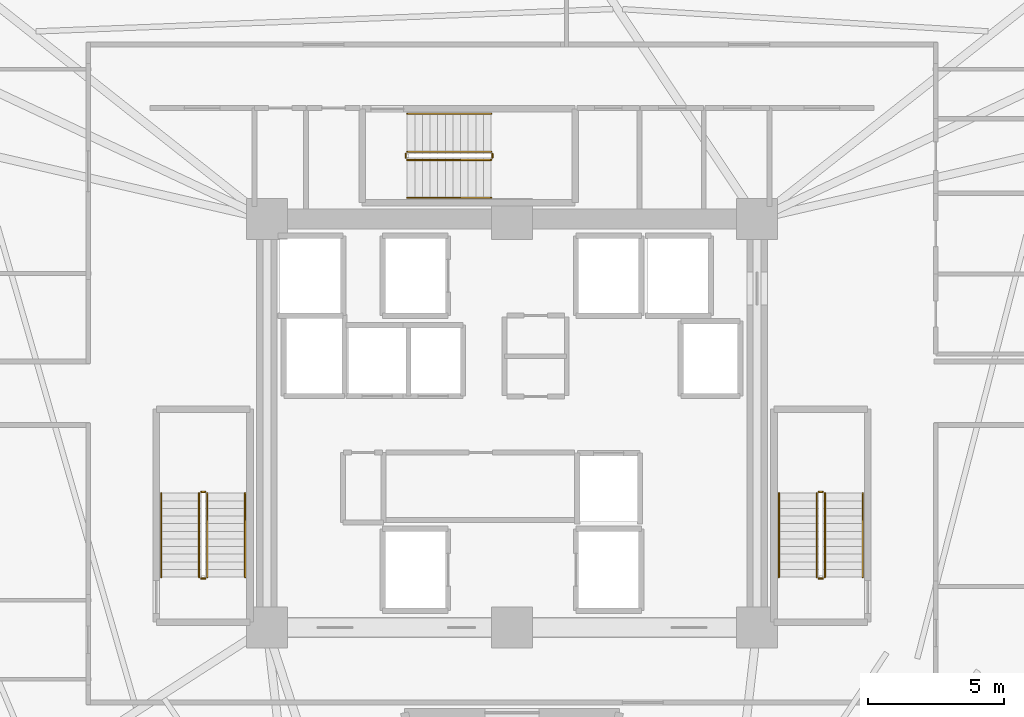
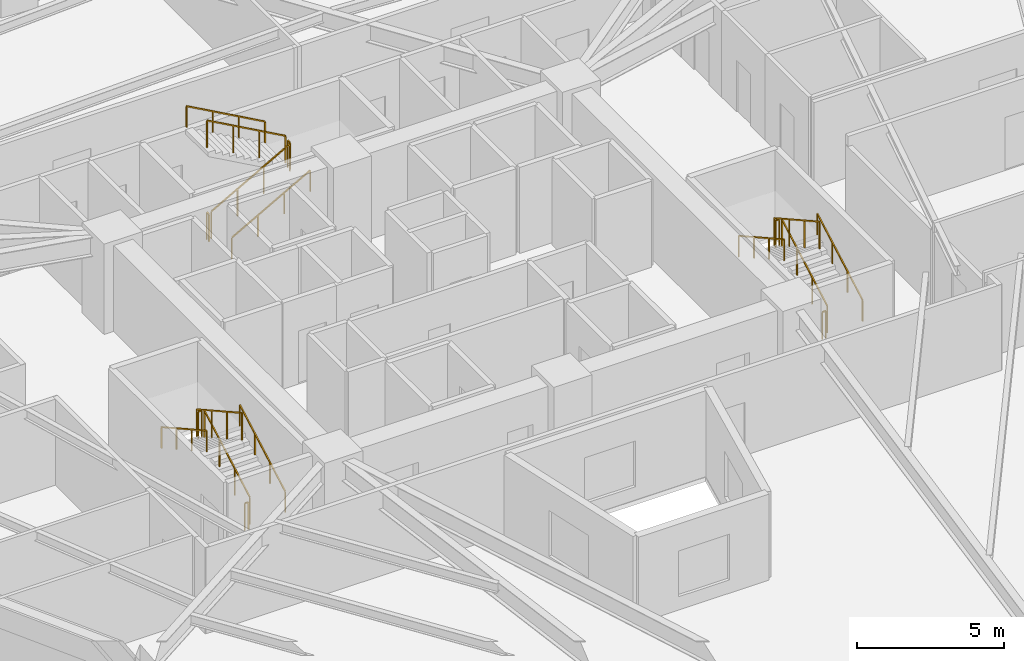
# One storey, part 8 of 8: 18 railings.
"""IFC4 building model written with IfcOpenShell, lengths in metres."""

from ifc_helpers import new_model, si_unit, direction, frame, origin, origin_2d, place, context, subcontext, project, spatial, rectangle, extrude, material, type_object, element, save


model = new_model("IFC4")

# Units and contexts
model_context = context("Model", 3, precision=1e-05, world=origin(), true_north=direction((0.0, 1.0)))
body_context = subcontext(model_context, "Body", "Model", "MODEL_VIEW")
ifc_project = project(units=[si_unit("LENGTHUNIT", "METRE"), si_unit("AREAUNIT", "SQUARE_METRE"), si_unit("VOLUMEUNIT", "CUBIC_METRE"), si_unit("PLANEANGLEUNIT", "RADIAN"), si_unit("MASSUNIT", "GRAM", prefix="KILO")], contexts=[model_context])

# Site, building, storey
site_placement = place(None, origin())
site = spatial("IfcSite", under=ifc_project, at=site_placement, CompositionType="ELEMENT")
building_placement = place(site_placement, origin())
building = spatial("IfcBuilding", under=site, at=building_placement, Name="Liaohun Quay Tower", CompositionType="ELEMENT")
storey_placement = place(building_placement, frame((0.0, 0.0, 174.0)))
storey = spatial("IfcBuildingStorey", under=building, at=storey_placement, Name="L45", CompositionType="ELEMENT", Elevation=174.0)

# Railings
ifc_material_1 = material(Name="Painted tubular steel", Category="steel")
railing_type_1 = type_object("IfcRailingType", Name="RLG-GUARD-STR", PredefinedType="GUARDRAIL", material=ifc_material_1)
railing_1_placement = place(storey_placement, frame((48.81005859375, 48.35009765625, 0.15625)))
element("IfcRailing", 1, at=railing_1_placement, inside=storey, type_object=railing_type_1, Name="L45 ST-1 stair guard 1", PredefinedType="GUARDRAIL", context=body_context, shape_type="SweptSolid", body=[
    extrude(rectangle(XDim=0.048095703125, YDim=0.048095703125, at=origin_2d()), frame((0.0, 0.0, 1.1259765625), z_axis=(0.0, 0.873225103656, 0.487317061414), x_axis=(-1.0, 0.0, 0.0)), (0.0, 0.0, 1.0), 3.52685546875),
    extrude(rectangle(XDim=0.0419921875, YDim=0.0419921875, at=origin_2d()), origin(), (0.0, 0.0, 1.0), 1.101806640625),
    extrude(rectangle(XDim=0.0419921875, YDim=0.0419921875, at=origin_2d()), frame((0.0, 1.026611328125, 0.572998046875)), (0.0, 0.0, 1.0), 1.101806640625),
    extrude(rectangle(XDim=0.0419921875, YDim=0.0419921875, at=origin_2d()), frame((0.0, 2.05322265625, 1.145751953125)), (0.0, 0.0, 1.0), 1.101806640625),
    extrude(rectangle(XDim=0.0419921875, YDim=0.0419921875, at=origin_2d()), frame((0.0, 3.079833984375, 1.71875)), (0.0, 0.0, 1.0), 1.101806640625),
])
railing_2_placement = place(storey_placement, frame((48.72998046875, 51.47998046875, 1.875)))
element("IfcRailing", 2, at=railing_2_placement, inside=storey, type_object=railing_type_1, Name="L45 ST-1 stair guard 2", PredefinedType="GUARDRAIL", context=body_context, shape_type="SweptSolid", body=[
    extrude(rectangle(XDim=0.048095703125, YDim=0.048095703125, at=origin_2d()), frame((0.0, 0.0, 1.1259765625), z_axis=(-1.0, 0.0, 0.0), x_axis=(0.0, -1.0, 0.0)), (0.0, 0.0, 1.0), 0.139892578125),
    extrude(rectangle(XDim=0.0419921875, YDim=0.0419921875, at=origin_2d()), origin(), (0.0, 0.0, 1.0), 1.101806640625),
    extrude(rectangle(XDim=0.0419921875, YDim=0.0419921875, at=origin_2d()), frame((-0.139892578125, 0.0, 0.0)), (0.0, 0.0, 1.0), 1.101806640625),
])
railing_3_placement = place(storey_placement, frame((48.510009765625, 51.429931640625, 2.03125)))
element("IfcRailing", 3, at=railing_3_placement, inside=storey, type_object=railing_type_1, Name="L45 ST-1 stair guard 3", PredefinedType="GUARDRAIL", context=body_context, shape_type="SweptSolid", body=[
    extrude(rectangle(XDim=0.048095703125, YDim=0.048095703125, at=origin_2d()), frame((0.0, 0.0, 1.1259765625), z_axis=(0.0, -0.873225103656, 0.487317061414), x_axis=(1.0, 0.0, 0.0)), (0.0, 0.0, 1.0), 3.52685546875),
    extrude(rectangle(XDim=0.0419921875, YDim=0.0419921875, at=origin_2d()), origin(), (0.0, 0.0, 1.0), 1.101806640625),
    extrude(rectangle(XDim=0.0419921875, YDim=0.0419921875, at=origin_2d()), frame((0.0, -1.026611328125, 0.572998046875)), (0.0, 0.0, 1.0), 1.101806640625),
    extrude(rectangle(XDim=0.0419921875, YDim=0.0419921875, at=origin_2d()), frame((0.0, -2.05322265625, 1.145751953125)), (0.0, 0.0, 1.0), 1.101806640625),
    extrude(rectangle(XDim=0.0419921875, YDim=0.0419921875, at=origin_2d()), frame((0.0, -3.079833984375, 1.71875)), (0.0, 0.0, 1.0), 1.101806640625),
])
railing_4_placement = place(storey_placement, frame((48.72998046875, 48.300048828125, 0.0)))
element("IfcRailing", 4, at=railing_4_placement, inside=storey, type_object=railing_type_1, Name="L45 ST-1 stair guard 4", PredefinedType="GUARDRAIL", context=body_context, shape_type="SweptSolid", body=[
    extrude(rectangle(XDim=0.048095703125, YDim=0.048095703125, at=origin_2d()), frame((0.0, 0.0, 1.1259765625), z_axis=(-1.0, 0.0, 0.0), x_axis=(0.0, -1.0, 0.0)), (0.0, 0.0, 1.0), 0.139892578125),
    extrude(rectangle(XDim=0.0419921875, YDim=0.0419921875, at=origin_2d()), origin(), (0.0, 0.0, 1.0), 1.101806640625),
    extrude(rectangle(XDim=0.0419921875, YDim=0.0419921875, at=origin_2d()), frame((-0.139892578125, 0.0, 0.0)), (0.0, 0.0, 1.0), 1.101806640625),
])
railing_5_placement = place(storey_placement, frame((71.489990234375, 48.35009765625, 0.15625)))
element("IfcRailing", 5, at=railing_5_placement, inside=storey, type_object=railing_type_1, Name="L45 ST-2 stair guard 1", PredefinedType="GUARDRAIL", context=body_context, shape_type="SweptSolid", body=[
    extrude(rectangle(XDim=0.048095703125, YDim=0.048095703125, at=origin_2d()), frame((0.0, 0.0, 1.1259765625), z_axis=(0.0, 0.873225103656, 0.487317061414), x_axis=(-1.0, 0.0, 0.0)), (0.0, 0.0, 1.0), 3.52685546875),
    extrude(rectangle(XDim=0.0419921875, YDim=0.0419921875, at=origin_2d()), origin(), (0.0, 0.0, 1.0), 1.101806640625),
    extrude(rectangle(XDim=0.0419921875, YDim=0.0419921875, at=origin_2d()), frame((0.0, 1.026611328125, 0.572998046875)), (0.0, 0.0, 1.0), 1.101806640625),
    extrude(rectangle(XDim=0.0419921875, YDim=0.0419921875, at=origin_2d()), frame((0.0, 2.05322265625, 1.145751953125)), (0.0, 0.0, 1.0), 1.101806640625),
    extrude(rectangle(XDim=0.0419921875, YDim=0.0419921875, at=origin_2d()), frame((0.0, 3.079833984375, 1.71875)), (0.0, 0.0, 1.0), 1.101806640625),
])
railing_6_placement = place(storey_placement, frame((71.409912109375, 51.47998046875, 1.875)))
element("IfcRailing", 6, at=railing_6_placement, inside=storey, type_object=railing_type_1, Name="L45 ST-2 stair guard 2", PredefinedType="GUARDRAIL", context=body_context, shape_type="SweptSolid", body=[
    extrude(rectangle(XDim=0.048095703125, YDim=0.048095703125, at=origin_2d()), frame((0.0, 0.0, 1.1259765625), z_axis=(-1.0, 0.0, 0.0), x_axis=(0.0, -1.0, 0.0)), (0.0, 0.0, 1.0), 0.139892578125),
    extrude(rectangle(XDim=0.0419921875, YDim=0.0419921875, at=origin_2d()), origin(), (0.0, 0.0, 1.0), 1.101806640625),
    extrude(rectangle(XDim=0.0419921875, YDim=0.0419921875, at=origin_2d()), frame((-0.139892578125, 0.0, 0.0)), (0.0, 0.0, 1.0), 1.101806640625),
])
railing_7_placement = place(storey_placement, frame((71.18994140625, 51.429931640625, 2.03125)))
element("IfcRailing", 7, at=railing_7_placement, inside=storey, type_object=railing_type_1, Name="L45 ST-2 stair guard 3", PredefinedType="GUARDRAIL", context=body_context, shape_type="SweptSolid", body=[
    extrude(rectangle(XDim=0.048095703125, YDim=0.048095703125, at=origin_2d()), frame((0.0, 0.0, 1.1259765625), z_axis=(0.0, -0.873225103656, 0.487317061414), x_axis=(1.0, 0.0, 0.0)), (0.0, 0.0, 1.0), 3.52685546875),
    extrude(rectangle(XDim=0.0419921875, YDim=0.0419921875, at=origin_2d()), origin(), (0.0, 0.0, 1.0), 1.101806640625),
    extrude(rectangle(XDim=0.0419921875, YDim=0.0419921875, at=origin_2d()), frame((0.0, -1.026611328125, 0.572998046875)), (0.0, 0.0, 1.0), 1.101806640625),
    extrude(rectangle(XDim=0.0419921875, YDim=0.0419921875, at=origin_2d()), frame((0.0, -2.05322265625, 1.145751953125)), (0.0, 0.0, 1.0), 1.101806640625),
    extrude(rectangle(XDim=0.0419921875, YDim=0.0419921875, at=origin_2d()), frame((0.0, -3.079833984375, 1.71875)), (0.0, 0.0, 1.0), 1.101806640625),
])
railing_8_placement = place(storey_placement, frame((71.409912109375, 48.300048828125, 0.0)))
element("IfcRailing", 8, at=railing_8_placement, inside=storey, type_object=railing_type_1, Name="L45 ST-2 stair guard 4", PredefinedType="GUARDRAIL", context=body_context, shape_type="SweptSolid", body=[
    extrude(rectangle(XDim=0.048095703125, YDim=0.048095703125, at=origin_2d()), frame((0.0, 0.0, 1.1259765625), z_axis=(-1.0, 0.0, 0.0), x_axis=(0.0, -1.0, 0.0)), (0.0, 0.0, 1.0), 0.139892578125),
    extrude(rectangle(XDim=0.0419921875, YDim=0.0419921875, at=origin_2d()), origin(), (0.0, 0.0, 1.0), 1.101806640625),
    extrude(rectangle(XDim=0.0419921875, YDim=0.0419921875, at=origin_2d()), frame((-0.139892578125, 0.0, 0.0)), (0.0, 0.0, 1.0), 1.101806640625),
])
railing_9_placement = place(storey_placement, frame((56.14990234375, 63.669921875, 0.15625)))
element("IfcRailing", 9, at=railing_9_placement, inside=storey, type_object=railing_type_1, Name="L45 ST-3 stair guard 1", PredefinedType="GUARDRAIL", context=body_context, shape_type="SweptSolid", body=[
    extrude(rectangle(XDim=0.048095703125, YDim=0.048095703125, at=origin_2d()), frame((0.0, 0.0, 1.1259765625), z_axis=(0.873241540666, 0.0, 0.487287606713), x_axis=(0.0, 1.0, 0.0)), (0.0, 0.0, 1.0), 3.527099609375),
    extrude(rectangle(XDim=0.0419921875, YDim=0.0419921875, at=origin_2d()), origin(), (0.0, 0.0, 1.0), 1.101806640625),
    extrude(rectangle(XDim=0.0419921875, YDim=0.0419921875, at=origin_2d()), frame((1.026611328125, 0.0, 0.572998046875)), (0.0, 0.0, 1.0), 1.101806640625),
    extrude(rectangle(XDim=0.0419921875, YDim=0.0419921875, at=origin_2d()), frame((2.053466796875, 0.0, 1.145751953125)), (0.0, 0.0, 1.0), 1.101806640625),
    extrude(rectangle(XDim=0.0419921875, YDim=0.0419921875, at=origin_2d()), frame((3.080078125, 0.0, 1.71875)), (0.0, 0.0, 1.0), 1.101806640625),
])
railing_10_placement = place(storey_placement, frame((59.280029296875, 63.75, 1.875)))
element("IfcRailing", 10, at=railing_10_placement, inside=storey, type_object=railing_type_1, Name="L45 ST-3 stair guard 2", PredefinedType="GUARDRAIL", context=body_context, shape_type="SweptSolid", body=[
    extrude(rectangle(XDim=0.048095703125, YDim=0.048095703125, at=origin_2d()), frame((0.0, 0.0, 1.1259765625), z_axis=(0.0, 1.0, 0.0), x_axis=(-1.0, 0.0, 0.0)), (0.0, 0.0, 1.0), 0.139892578125),
    extrude(rectangle(XDim=0.0419921875, YDim=0.0419921875, at=origin_2d()), origin(), (0.0, 0.0, 1.0), 1.101806640625),
    extrude(rectangle(XDim=0.0419921875, YDim=0.0419921875, at=origin_2d()), frame((0.0, 0.139892578125, 0.0)), (0.0, 0.0, 1.0), 1.101806640625),
])
railing_11_placement = place(storey_placement, frame((59.22998046875, 63.969970703125, 2.03125)))
element("IfcRailing", 11, at=railing_11_placement, inside=storey, type_object=railing_type_1, Name="L45 ST-3 stair guard 3", PredefinedType="GUARDRAIL", context=body_context, shape_type="SweptSolid", body=[
    extrude(rectangle(XDim=0.048095703125, YDim=0.048095703125, at=origin_2d()), frame((0.0, 0.0, 1.1259765625), z_axis=(-0.873241540666, 0.0, 0.487287606713), x_axis=(0.0, -1.0, 0.0)), (0.0, 0.0, 1.0), 3.527099609375),
    extrude(rectangle(XDim=0.0419921875, YDim=0.0419921875, at=origin_2d()), origin(), (0.0, 0.0, 1.0), 1.101806640625),
    extrude(rectangle(XDim=0.0419921875, YDim=0.0419921875, at=origin_2d()), frame((-1.026611328125, 0.0, 0.572998046875)), (0.0, 0.0, 1.0), 1.101806640625),
    extrude(rectangle(XDim=0.0419921875, YDim=0.0419921875, at=origin_2d()), frame((-2.053466796875, 0.0, 1.145751953125)), (0.0, 0.0, 1.0), 1.101806640625),
    extrude(rectangle(XDim=0.0419921875, YDim=0.0419921875, at=origin_2d()), frame((-3.080078125, 0.0, 1.71875)), (0.0, 0.0, 1.0), 1.101806640625),
])
railing_12_placement = place(storey_placement, frame((56.10009765625, 63.75, 0.0)))
element("IfcRailing", 12, at=railing_12_placement, inside=storey, type_object=railing_type_1, Name="L45 ST-3 stair guard 4", PredefinedType="GUARDRAIL", context=body_context, shape_type="SweptSolid", body=[
    extrude(rectangle(XDim=0.048095703125, YDim=0.048095703125, at=origin_2d()), frame((0.0, 0.0, 1.1259765625), z_axis=(0.0, 1.0, 0.0), x_axis=(-1.0, 0.0, 0.0)), (0.0, 0.0, 1.0), 0.139892578125),
    extrude(rectangle(XDim=0.0419921875, YDim=0.0419921875, at=origin_2d()), origin(), (0.0, 0.0, 1.0), 1.101806640625),
    extrude(rectangle(XDim=0.0419921875, YDim=0.0419921875, at=origin_2d()), frame((0.0, 0.139892578125, 0.0)), (0.0, 0.0, 1.0), 1.101806640625),
])
ifc_material_2 = material(Name="Brushed stainless steel", Category="steel")
railing_type_2 = type_object("IfcRailingType", Name="RLG-HND-STR", PredefinedType="HANDRAIL", material=ifc_material_2)
railing_13_placement = place(storey_placement, frame((50.199951171875, 48.35009765625, 0.15625)))
element("IfcRailing", 13, at=railing_13_placement, inside=storey, type_object=railing_type_2, Name="L45 ST-1 stair handrail 1", PredefinedType="HANDRAIL", context=body_context, shape_type="SweptSolid", body=[
    extrude(rectangle(XDim=0.048095703125, YDim=0.048095703125, at=origin_2d()), frame((0.0, 0.0, 0.8759765625), z_axis=(0.0, 0.873225103656, 0.487317061414), x_axis=(-1.0, 0.0, 0.0)), (0.0, 0.0, 1.0), 3.52685546875),
    extrude(rectangle(XDim=0.0419921875, YDim=0.0419921875, at=origin_2d()), origin(), (0.0, 0.0, 1.0), 0.851806640625),
    extrude(rectangle(XDim=0.0419921875, YDim=0.0419921875, at=origin_2d()), frame((0.0, 1.026611328125, 0.572998046875)), (0.0, 0.0, 1.0), 0.851806640625),
    extrude(rectangle(XDim=0.0419921875, YDim=0.0419921875, at=origin_2d()), frame((0.0, 2.05322265625, 1.145751953125)), (0.0, 0.0, 1.0), 0.851806640625),
    extrude(rectangle(XDim=0.0419921875, YDim=0.0419921875, at=origin_2d()), frame((0.0, 3.079833984375, 1.71875)), (0.0, 0.0, 1.0), 0.851806640625),
])
railing_14_placement = place(storey_placement, frame((47.1201171875, 51.429931640625, 2.03125)))
element("IfcRailing", 14, at=railing_14_placement, inside=storey, type_object=railing_type_2, Name="L45 ST-1 stair handrail 2", PredefinedType="HANDRAIL", context=body_context, shape_type="SweptSolid", body=[
    extrude(rectangle(XDim=0.048095703125, YDim=0.048095703125, at=origin_2d()), frame((0.0, 0.0, 0.8759765625), z_axis=(0.0, -0.873225103656, 0.487317061414), x_axis=(1.0, 0.0, 0.0)), (0.0, 0.0, 1.0), 3.52685546875),
    extrude(rectangle(XDim=0.0419921875, YDim=0.0419921875, at=origin_2d()), origin(), (0.0, 0.0, 1.0), 0.851806640625),
    extrude(rectangle(XDim=0.0419921875, YDim=0.0419921875, at=origin_2d()), frame((0.0, -1.026611328125, 0.572998046875)), (0.0, 0.0, 1.0), 0.851806640625),
    extrude(rectangle(XDim=0.0419921875, YDim=0.0419921875, at=origin_2d()), frame((0.0, -2.05322265625, 1.145751953125)), (0.0, 0.0, 1.0), 0.851806640625),
    extrude(rectangle(XDim=0.0419921875, YDim=0.0419921875, at=origin_2d()), frame((0.0, -3.079833984375, 1.71875)), (0.0, 0.0, 1.0), 0.851806640625),
])
railing_15_placement = place(storey_placement, frame((72.8798828125, 48.35009765625, 0.15625)))
element("IfcRailing", 15, at=railing_15_placement, inside=storey, type_object=railing_type_2, Name="L45 ST-2 stair handrail 1", PredefinedType="HANDRAIL", context=body_context, shape_type="SweptSolid", body=[
    extrude(rectangle(XDim=0.048095703125, YDim=0.048095703125, at=origin_2d()), frame((0.0, 0.0, 0.8759765625), z_axis=(0.0, 0.873225103656, 0.487317061414), x_axis=(-1.0, 0.0, 0.0)), (0.0, 0.0, 1.0), 3.52685546875),
    extrude(rectangle(XDim=0.0419921875, YDim=0.0419921875, at=origin_2d()), origin(), (0.0, 0.0, 1.0), 0.851806640625),
    extrude(rectangle(XDim=0.0419921875, YDim=0.0419921875, at=origin_2d()), frame((0.0, 1.026611328125, 0.572998046875)), (0.0, 0.0, 1.0), 0.851806640625),
    extrude(rectangle(XDim=0.0419921875, YDim=0.0419921875, at=origin_2d()), frame((0.0, 2.05322265625, 1.145751953125)), (0.0, 0.0, 1.0), 0.851806640625),
    extrude(rectangle(XDim=0.0419921875, YDim=0.0419921875, at=origin_2d()), frame((0.0, 3.079833984375, 1.71875)), (0.0, 0.0, 1.0), 0.851806640625),
])
railing_16_placement = place(storey_placement, frame((69.800048828125, 51.429931640625, 2.03125)))
element("IfcRailing", 16, at=railing_16_placement, inside=storey, type_object=railing_type_2, Name="L45 ST-2 stair handrail 2", PredefinedType="HANDRAIL", context=body_context, shape_type="SweptSolid", body=[
    extrude(rectangle(XDim=0.048095703125, YDim=0.048095703125, at=origin_2d()), frame((0.0, 0.0, 0.8759765625), z_axis=(0.0, -0.873225103656, 0.487317061414), x_axis=(1.0, 0.0, 0.0)), (0.0, 0.0, 1.0), 3.52685546875),
    extrude(rectangle(XDim=0.0419921875, YDim=0.0419921875, at=origin_2d()), origin(), (0.0, 0.0, 1.0), 0.851806640625),
    extrude(rectangle(XDim=0.0419921875, YDim=0.0419921875, at=origin_2d()), frame((0.0, -1.026611328125, 0.572998046875)), (0.0, 0.0, 1.0), 0.851806640625),
    extrude(rectangle(XDim=0.0419921875, YDim=0.0419921875, at=origin_2d()), frame((0.0, -2.05322265625, 1.145751953125)), (0.0, 0.0, 1.0), 0.851806640625),
    extrude(rectangle(XDim=0.0419921875, YDim=0.0419921875, at=origin_2d()), frame((0.0, -3.079833984375, 1.71875)), (0.0, 0.0, 1.0), 0.851806640625),
])
railing_17_placement = place(storey_placement, frame((56.14990234375, 62.280029296875, 0.15625)))
element("IfcRailing", 17, at=railing_17_placement, inside=storey, type_object=railing_type_2, Name="L45 ST-3 stair handrail 1", PredefinedType="HANDRAIL", context=body_context, shape_type="SweptSolid", body=[
    extrude(rectangle(XDim=0.048095703125, YDim=0.048095703125, at=origin_2d()), frame((0.0, 0.0, 0.8759765625), z_axis=(0.873241540666, 0.0, 0.487287606713), x_axis=(0.0, 1.0, 0.0)), (0.0, 0.0, 1.0), 3.527099609375),
    extrude(rectangle(XDim=0.0419921875, YDim=0.0419921875, at=origin_2d()), origin(), (0.0, 0.0, 1.0), 0.851806640625),
    extrude(rectangle(XDim=0.0419921875, YDim=0.0419921875, at=origin_2d()), frame((1.026611328125, 0.0, 0.572998046875)), (0.0, 0.0, 1.0), 0.851806640625),
    extrude(rectangle(XDim=0.0419921875, YDim=0.0419921875, at=origin_2d()), frame((2.053466796875, 0.0, 1.145751953125)), (0.0, 0.0, 1.0), 0.851806640625),
    extrude(rectangle(XDim=0.0419921875, YDim=0.0419921875, at=origin_2d()), frame((3.080078125, 0.0, 1.71875)), (0.0, 0.0, 1.0), 0.851806640625),
])
railing_18_placement = place(storey_placement, frame((59.22998046875, 65.360107421875, 2.03125)))
element("IfcRailing", 18, at=railing_18_placement, inside=storey, type_object=railing_type_2, Name="L45 ST-3 stair handrail 2", PredefinedType="HANDRAIL", context=body_context, shape_type="SweptSolid", body=[
    extrude(rectangle(XDim=0.048095703125, YDim=0.048095703125, at=origin_2d()), frame((0.0, 0.0, 0.8759765625), z_axis=(-0.873241540666, 0.0, 0.487287606713), x_axis=(0.0, -1.0, 0.0)), (0.0, 0.0, 1.0), 3.527099609375),
    extrude(rectangle(XDim=0.0419921875, YDim=0.0419921875, at=origin_2d()), origin(), (0.0, 0.0, 1.0), 0.851806640625),
    extrude(rectangle(XDim=0.0419921875, YDim=0.0419921875, at=origin_2d()), frame((-1.026611328125, 0.0, 0.572998046875)), (0.0, 0.0, 1.0), 0.851806640625),
    extrude(rectangle(XDim=0.0419921875, YDim=0.0419921875, at=origin_2d()), frame((-2.053466796875, 0.0, 1.145751953125)), (0.0, 0.0, 1.0), 0.851806640625),
    extrude(rectangle(XDim=0.0419921875, YDim=0.0419921875, at=origin_2d()), frame((-3.080078125, 0.0, 1.71875)), (0.0, 0.0, 1.0), 0.851806640625),
])

save(model, "model.ifc")
